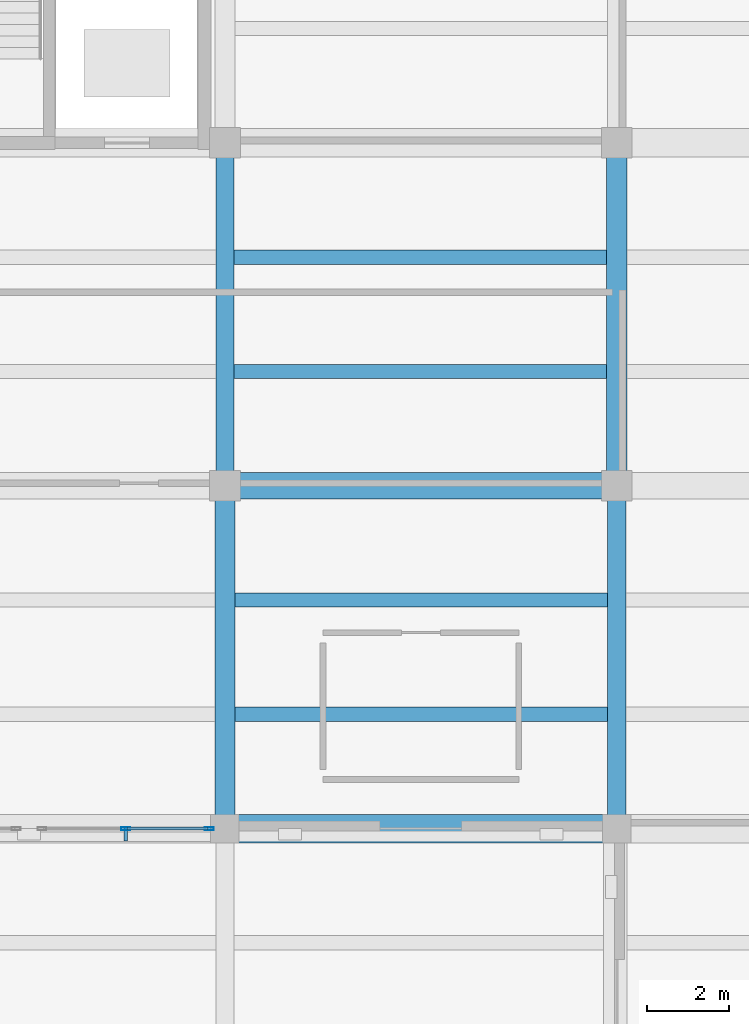
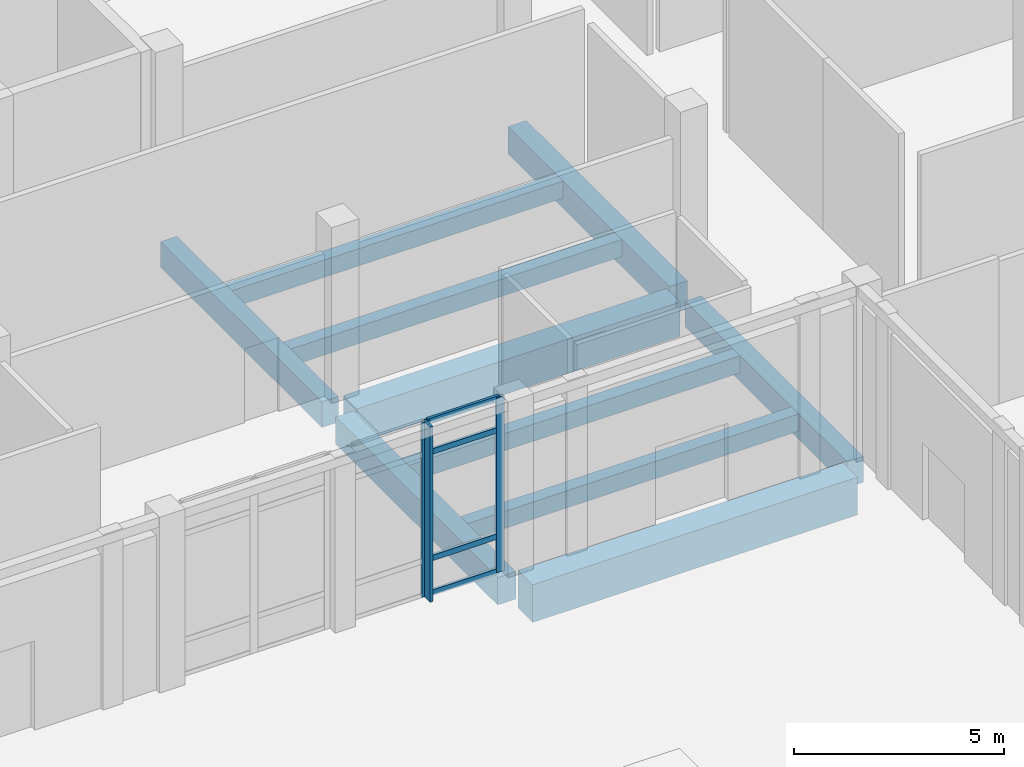
# One storey, part 28 of 71: 10 beams, 7 members, 1 element without a shape of its own.
"""IFC4 building model written with IfcOpenShell, lengths in metres."""

from ifc_helpers import new_model, si_unit, direction, frame, origin, origin_2d, place, context, subcontext, project, spatial, rectangle, hollow_rectangle, extrude, material, layer, layer_set, material_profile, profile_set, type_object, element, aggregate, save


model = new_model("IFC4")

# Units and contexts
model_context = context("Model", 3, precision=1e-05, world=origin(), true_north=direction((0.0, 1.0)))
body_context = subcontext(model_context, "Body", "Model", "MODEL_VIEW")
ifc_project = project(units=[si_unit("LENGTHUNIT", "METRE"), si_unit("AREAUNIT", "SQUARE_METRE"), si_unit("VOLUMEUNIT", "CUBIC_METRE"), si_unit("PLANEANGLEUNIT", "RADIAN"), si_unit("MASSUNIT", "GRAM", prefix="KILO")], contexts=[model_context])

# Site, building, storey
site_placement = place(None, origin())
site = spatial("IfcSite", under=ifc_project, at=site_placement, CompositionType="ELEMENT")
building_placement = place(site_placement, origin())
building = spatial("IfcBuilding", under=site, at=building_placement, Name="Lornevale Opera House", CompositionType="ELEMENT")
storey_placement = place(building_placement, origin())
storey = spatial("IfcBuildingStorey", under=building, at=storey_placement, Name="L01", CompositionType="ELEMENT", Elevation=0.0)

# Beams
ifc_material_1 = material(Name="Concrete 35 MPa (CSA A23.1 N)", Category="concrete")
ifc_material_profile_1 = material_profile(ifc_material_1, rectangle(XDim=0.449951171875, YDim=0.75, at=origin_2d()), Name="RC450x750")
ifc_profile_set_1 = profile_set([ifc_material_profile_1], Name="Concrete 35 MPa (CSA A23.1 N)")
beam_type_1 = type_object("IfcBeamType", Name="Concrete Floor Beam 450x750", PredefinedType="USERDEFINED", material=ifc_profile_set_1)
beam_1_placement = place(storey_placement, frame((115.199951171875, 25.550048828125, -0.81494140625), z_axis=(0.0, 1.0, 0.0), x_axis=(-1.0, 0.0, 0.0)))
element("IfcBeam", 1, at=beam_1_placement, inside=storey, type_object=beam_type_1, Name="Concrete Floor Beam 450x750 1230", ObjectType="GIRDER", PredefinedType="USERDEFINED", context=body_context, shape_type="SweptSolid", body=[
    extrude(rectangle(XDim=0.449951171875, YDim=0.75, at=origin_2d()), origin(), (0.0, 0.0, 1.0), 7.699951171875),
])
beam_2_placement = place(storey_placement, frame((124.800048828125, 17.125, -0.81494140625), z_axis=(0.0, 1.0, 0.0), x_axis=(-1.0, 0.0, 0.0)))
element("IfcBeam", 2, at=beam_2_placement, inside=storey, type_object=beam_type_1, Name="Concrete Floor Beam 450x750 1243", ObjectType="GIRDER", PredefinedType="USERDEFINED", context=body_context, shape_type="SweptSolid", body=[
    extrude(rectangle(XDim=0.449951171875, YDim=0.75, at=origin_2d()), origin(), (0.0, 0.0, 1.0), 7.72509765625),
])
ifc_material_profile_2 = material_profile(ifc_material_1, rectangle(XDim=0.5, YDim=0.800048828125, at=origin_2d()), Name="RC500x800")
ifc_profile_set_2 = profile_set([ifc_material_profile_2], Name="Concrete 35 MPa (CSA A23.1 N)")
beam_type_2 = type_object("IfcBeamType", Name="Concrete Floor Beam 500x800", PredefinedType="USERDEFINED", material=ifc_profile_set_2)
beam_3_placement = place(storey_placement, frame((115.199951171875, 17.125, -0.840087890625), z_axis=(0.0, 1.0, 0.0), x_axis=(-1.0, 0.0, 0.0)))
element("IfcBeam", 3, at=beam_3_placement, inside=storey, type_object=beam_type_2, Name="Concrete Floor Beam 500x800 1229", ObjectType="GIRDER", PredefinedType="USERDEFINED", context=body_context, shape_type="SweptSolid", body=[
    extrude(rectangle(XDim=0.5, YDim=0.800048828125, at=origin_2d()), origin(), (0.0, 0.0, 1.0), 7.72509765625),
])
beam_4_placement = place(storey_placement, frame((124.800048828125, 25.550048828125, -0.840087890625), z_axis=(0.0, 1.0, 0.0), x_axis=(-1.0, 0.0, 0.0)))
element("IfcBeam", 4, at=beam_4_placement, inside=storey, type_object=beam_type_2, Name="Concrete Floor Beam 500x800 1244", ObjectType="GIRDER", PredefinedType="USERDEFINED", context=body_context, shape_type="SweptSolid", body=[
    extrude(rectangle(XDim=0.5, YDim=0.800048828125, at=origin_2d()), origin(), (0.0, 0.0, 1.0), 7.699951171875),
])
ifc_material_2 = material(Name="Concrete 40 MPa (CSA A23.1 C-1)", Category="concrete")
ifc_material_profile_3 = material_profile(ifc_material_2, rectangle(XDim=0.64990234375, YDim=1.0, at=origin_2d()), Name="RC650x1000")
ifc_profile_set_3 = profile_set([ifc_material_profile_3], Name="Concrete 40 MPa (CSA A23.1 C-1)")
beam_type_3 = type_object("IfcBeamType", Name="Concrete Primary Girder 650x1000", PredefinedType="USERDEFINED", material=ifc_profile_set_3)
beam_5_placement = place(storey_placement, frame((115.550048828125, 25.199951171875, -0.93994140625), z_axis=(1.0, 0.0, 0.0), x_axis=(0.0, 1.0, 0.0)))
element("IfcBeam", 5, at=beam_5_placement, inside=storey, type_object=beam_type_3, Name="Concrete Primary Girder 650x1000 0901", ObjectType="GIRDER", PredefinedType="USERDEFINED", context=body_context, shape_type="SweptSolid", body=[
    extrude(rectangle(XDim=0.64990234375, YDim=1.0, at=origin_2d()), origin(), (0.0, 0.0, 1.0), 8.89990234375),
])
ifc_material_profile_4 = material_profile(ifc_material_2, rectangle(XDim=0.699951171875, YDim=1.10009765625, at=origin_2d()), Name="RC700x1100")
ifc_profile_set_4 = profile_set([ifc_material_profile_4], Name="Concrete 40 MPa (CSA A23.1 C-1)")
beam_type_4 = type_object("IfcBeamType", Name="Concrete Primary Girder 700x1100", PredefinedType="USERDEFINED", material=ifc_profile_set_4)
beam_6_placement = place(storey_placement, frame((115.52490234375, 16.800048828125, -0.989990234375), z_axis=(1.0, 0.0, 0.0), x_axis=(0.0, 1.0, 0.0)))
element("IfcBeam", 6, at=beam_6_placement, inside=storey, type_object=beam_type_4, Name="Concrete Primary Girder 700x1100 0884", ObjectType="GIRDER", PredefinedType="USERDEFINED", context=body_context, shape_type="SweptSolid", body=[
    extrude(rectangle(XDim=0.699951171875, YDim=1.10009765625, at=origin_2d()), origin(), (0.0, 0.0, 1.0), 8.9501953125),
])
ifc_material_profile_5 = material_profile(ifc_material_1, rectangle(XDim=0.35009765625, YDim=0.5, at=origin_2d()), Name="RC350x500")
ifc_profile_set_5 = profile_set([ifc_material_profile_5], Name="Concrete 35 MPa (CSA A23.1 N)")
beam_type_5 = type_object("IfcBeamType", Name="Concrete Secondary Rib 350x500", PredefinedType="JOIST", material=ifc_profile_set_5)
for number, where, z_axis, x_axis, name in (
    (7, (115.449951171875, 19.60009765625, -0.68994140625), (1.0, 0.0, 0.0), (0.0, 1.0, 0.0), "Concrete Secondary Rib 350x500 1595"),
    (8, (115.449951171875, 22.39990234375, -0.68994140625), (1.0, 0.0, 0.0), (0.0, 1.0, 0.0), "Concrete Secondary Rib 350x500 1596"),
    (9, (115.425048828125, 28.0, -0.68994140625), (1.0, 0.0, 0.0), (0.0, 1.0, 0.0), "Concrete Secondary Rib 350x500 1597"),
    (10, (115.425048828125, 30.800048828125, -0.68994140625), (1.0, 0.0, 0.0), (0.0, 1.0, 0.0), "Concrete Secondary Rib 350x500 1598"),
):
    element("IfcBeam", number, at=place(storey_placement, frame(where, z_axis=z_axis, x_axis=x_axis)), inside=storey, type_object=beam_type_5, Name=name, PredefinedType="JOIST", context=body_context, shape_type="SweptSolid", body=[
        extrude(rectangle(XDim=0.35009765625, YDim=0.5, at=origin_2d()), origin(), (0.0, 0.0, 1.0), 9.125),
    ])

# Curtain wall, members
ifc_material_3 = material(Name="Anodized Oxide-Green Aluminium Framing", Category="aluminium")
ifc_layer = layer(ifc_material_3, 0.215087890625)
ifc_layer_set = layer_set([ifc_layer], Name="Anodized Oxide-Green Aluminium Framing")
curtain_wall_type = type_object("IfcCurtainWallType", Name="Grand Foyer Curtain Wall M2000", PredefinedType="NOTDEFINED", material=ifc_layer_set)
curtain_wall_placement = place(storey_placement, origin())
curtain_wall = element("IfcCurtainWall", 11, at=curtain_wall_placement, inside=storey, type_object=curtain_wall_type, Name="Grand Foyer Curtain Wall M2000 CW-017", PredefinedType="NOTDEFINED")
ifc_material_profile_6 = material_profile(ifc_material_3, hollow_rectangle(XDim=0.074951171875, YDim=0.219970703125, WallThickness=0.0048828125, at=origin_2d()), Name="ALU75x220x5")
ifc_profile_set_6 = profile_set([ifc_material_profile_6], Name="Anodized Oxide-Green Aluminium Framing")
member_type_1 = type_object("IfcMemberType", Name="Curtain Wall Mullion 75x220", PredefinedType="MULLION", material=ifc_profile_set_6)
member_1_placement = place(storey_placement, frame((114.81640625, 16.800048828125, 0.0), z_axis=(0.0, 0.0, 1.0), x_axis=(0.0, -1.0, 0.0)))
member_1 = element("IfcMember", 12, at=member_1_placement, type_object=member_type_1, Name="Curtain Wall Mullion 75x220 CW0273", PredefinedType="MULLION", context=body_context, shape_type="SweptSolid", body=[
    extrude(hollow_rectangle(XDim=0.074951171875, YDim=0.219970703125, WallThickness=0.0048828125, at=origin_2d()), origin(), (0.0, 0.0, 1.0), 5.10009765625),
])
member_2_placement = place(storey_placement, frame((112.76708984375, 16.800048828125, 0.0), z_axis=(0.0, 0.0, 1.0), x_axis=(0.0, -1.0, 0.0)))
member_2 = element("IfcMember", 13, at=member_2_placement, type_object=member_type_1, Name="Curtain Wall Mullion 75x220 CW0274", PredefinedType="MULLION", context=body_context, shape_type="SweptSolid", body=[
    extrude(hollow_rectangle(XDim=0.074951171875, YDim=0.219970703125, WallThickness=0.0048828125, at=origin_2d()), origin(), (0.0, 0.0, 1.0), 5.10009765625),
])
ifc_material_profile_7 = material_profile(ifc_material_3, hollow_rectangle(XDim=0.074951171875, YDim=0.159912109375, WallThickness=0.0048828125, at=origin_2d()), Name="ALU75x160x5")
ifc_profile_set_7 = profile_set([ifc_material_profile_7], Name="Anodized Oxide-Green Aluminium Framing")
member_type_2 = type_object("IfcMemberType", Name="Curtain Wall Transom 75x160", PredefinedType="USERDEFINED", material=ifc_profile_set_7)
member_3_placement = place(storey_placement, frame((114.779052734375, 16.800048828125, 0.03759765625), z_axis=(-1.0, 0.0, 0.0), x_axis=(0.0, -1.0, 0.0)))
member_3 = element("IfcMember", 14, at=member_3_placement, type_object=member_type_2, Name="Curtain Wall Transom 75x160 CW0276", ObjectType="TRANSOM", PredefinedType="USERDEFINED", context=body_context, shape_type="SweptSolid", body=[
    extrude(hollow_rectangle(XDim=0.074951171875, YDim=0.159912109375, WallThickness=0.0048828125, at=origin_2d()), origin(), (0.0, 0.0, 1.0), 1.974609375),
])
member_4_placement = place(storey_placement, frame((114.779052734375, 16.800048828125, 1.050048828125), z_axis=(-1.0, 0.0, 0.0), x_axis=(0.0, -1.0, 0.0)))
member_4 = element("IfcMember", 15, at=member_4_placement, type_object=member_type_2, Name="Curtain Wall Transom 75x160 CW0277", ObjectType="TRANSOM", PredefinedType="USERDEFINED", context=body_context, shape_type="SweptSolid", body=[
    extrude(hollow_rectangle(XDim=0.074951171875, YDim=0.159912109375, WallThickness=0.0048828125, at=origin_2d()), origin(), (0.0, 0.0, 1.0), 1.974609375),
])
member_5_placement = place(storey_placement, frame((114.779052734375, 16.800048828125, 4.14990234375), z_axis=(-1.0, 0.0, 0.0), x_axis=(0.0, -1.0, 0.0)))
member_5 = element("IfcMember", 16, at=member_5_placement, type_object=member_type_2, Name="Curtain Wall Transom 75x160 CW0278", ObjectType="TRANSOM", PredefinedType="USERDEFINED", context=body_context, shape_type="SweptSolid", body=[
    extrude(hollow_rectangle(XDim=0.074951171875, YDim=0.159912109375, WallThickness=0.0048828125, at=origin_2d()), origin(), (0.0, 0.0, 1.0), 1.974609375),
])
member_6_placement = place(storey_placement, frame((114.779052734375, 16.800048828125, 5.0625), z_axis=(-1.0, 0.0, 0.0), x_axis=(0.0, -1.0, 0.0)))
member_6 = element("IfcMember", 17, at=member_6_placement, type_object=member_type_2, Name="Curtain Wall Transom 75x160 CW0279", ObjectType="TRANSOM", PredefinedType="USERDEFINED", context=body_context, shape_type="SweptSolid", body=[
    extrude(hollow_rectangle(XDim=0.074951171875, YDim=0.159912109375, WallThickness=0.0048828125, at=origin_2d()), origin(), (0.0, 0.0, 1.0), 1.974609375),
])
ifc_material_4 = material(Name="Architectural Bronze Solar Louvre Alloy", Category="metal")
ifc_material_profile_8 = material_profile(ifc_material_4, rectangle(XDim=0.080078125, YDim=0.360107421875, at=origin_2d()), Name="FIN80x360")
ifc_profile_set_8 = profile_set([ifc_material_profile_8], Name="Architectural Bronze Solar Louvre Alloy")
member_type_3 = type_object("IfcMemberType", Name="Solar Shading Fin 80x360", PredefinedType="USERDEFINED", material=ifc_profile_set_8)
member_7_placement = place(storey_placement, frame((112.76708984375, 16.674072265625, 0.0), z_axis=(0.0, 0.0, 1.0), x_axis=(-1.0, 0.0, 0.0)))
member_7 = element("IfcMember", 18, at=member_7_placement, type_object=member_type_3, Name="Solar Shading Fin 80x360 FIN0009", ObjectType="SOLAR FIN", PredefinedType="USERDEFINED", context=body_context, shape_type="SweptSolid", body=[
    extrude(rectangle(XDim=0.080078125, YDim=0.360107421875, at=origin_2d()), origin(), (0.0, 0.0, 1.0), 5.10009765625),
])
aggregate(curtain_wall, [member_1, member_2, member_3, member_4, member_5, member_6, member_7])

save(model, "model.ifc")
